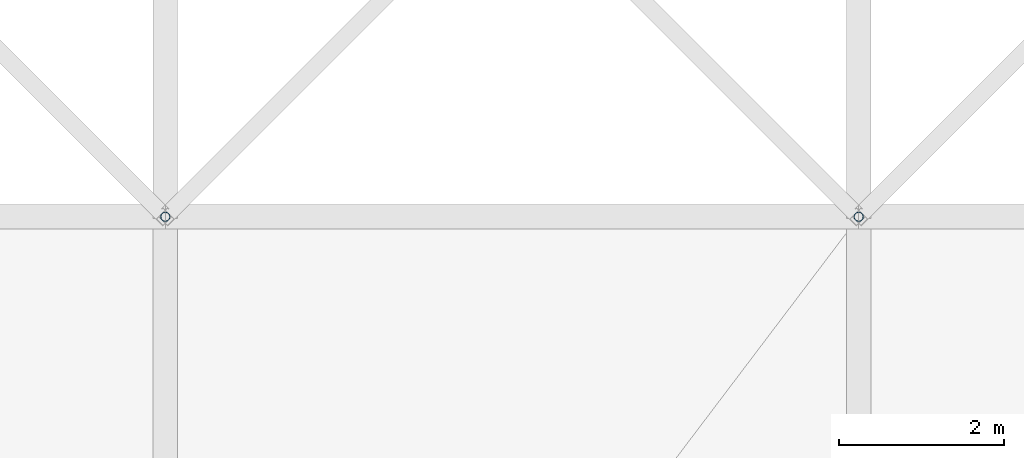
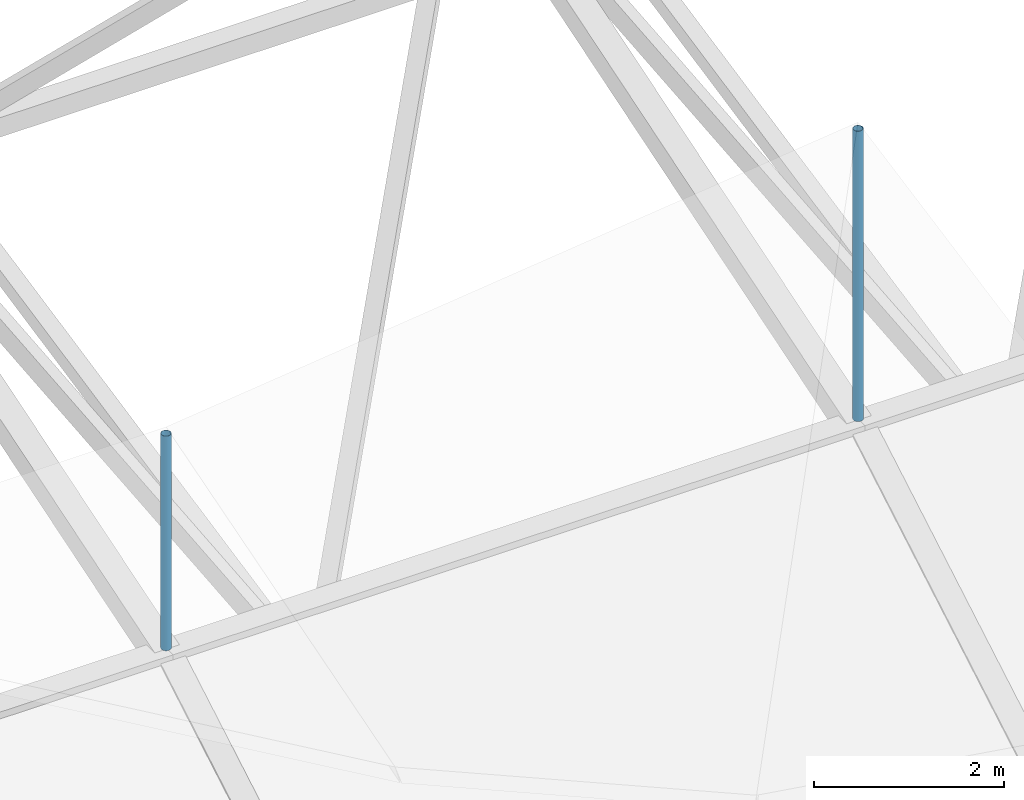
# One storey, part 46 of 111: 2 discrete accessories.
"""IFC4 building model written with IfcOpenShell, lengths in metres."""

from ifc_helpers import new_model, si_unit, direction, frame, origin, origin_2d, place, context, subcontext, project, spatial, hollow_circle, extrude, material, material_profile, profile_set, type_object, element, save


model = new_model("IFC4")

# Units and contexts
model_context = context("Model", 3, precision=1e-05, world=origin(), true_north=direction((0.0, 1.0)))
body_context = subcontext(model_context, "Body", "Model", "MODEL_VIEW")
ifc_project = project(units=[si_unit("LENGTHUNIT", "METRE"), si_unit("AREAUNIT", "SQUARE_METRE"), si_unit("VOLUMEUNIT", "CUBIC_METRE"), si_unit("PLANEANGLEUNIT", "RADIAN"), si_unit("MASSUNIT", "GRAM", prefix="KILO")], contexts=[model_context])

# Site, building, storey
site_placement = place(None, origin())
site = spatial("IfcSite", under=ifc_project, at=site_placement, CompositionType="ELEMENT")
building_placement = place(site_placement, origin())
building = spatial("IfcBuilding", under=site, at=building_placement, Name="Rain Tree Exposition and Congress Centre", CompositionType="ELEMENT")
storey_placement = place(building_placement, frame((0.0, 0.0, 19.5)))
storey = spatial("IfcBuildingStorey", under=building, at=storey_placement, Name="RF", CompositionType="ELEMENT", Elevation=19.5)

# Discrete accessories
ifc_material = material(Name="Steel S355J2H", Category="steel")
ifc_material_profile = material_profile(ifc_material, hollow_circle(Radius=0.05712890625, WallThickness=0.00439453125, at=origin_2d()), Name="CHS 114x4.5")
ifc_profile_set = profile_set([ifc_material_profile], Name="Steel S355J2H")
discrete_accessory_type = type_object("IfcDiscreteAccessoryType", Name="Roof skin post CHS 114x4.5", PredefinedType="BRACKET", material=ifc_profile_set)
discrete_accessory_1_placement = place(storey_placement, frame((176.39990234375, 109.199951171875, 5.39404296875), z_axis=(0.0, 0.0, 1.0), x_axis=(1.0, 0.0, 0.0)))
element("IfcDiscreteAccessory", 1, at=discrete_accessory_1_placement, inside=storey, type_object=discrete_accessory_type, Name="Roof skin post B18", PredefinedType="BRACKET", context=body_context, shape_type="SweptSolid", body=[
    extrude(hollow_circle(Radius=0.05712890625, WallThickness=0.00439453125, at=origin_2d()), origin(), (0.0, 0.0, 1.0), 2.754150390625),
])
discrete_accessory_2_placement = place(storey_placement, frame((184.800048828125, 109.199951171875, 5.39404296875), z_axis=(0.0, 0.0, 1.0), x_axis=(1.0, 0.0, 0.0)))
element("IfcDiscreteAccessory", 2, at=discrete_accessory_2_placement, inside=storey, type_object=discrete_accessory_type, Name="Roof skin post B19", PredefinedType="BRACKET", context=body_context, shape_type="SweptSolid", body=[
    extrude(hollow_circle(Radius=0.05712890625, WallThickness=0.00439453125, at=origin_2d()), origin(), (0.0, 0.0, 1.0), 3.725830078125),
])

save(model, "model.ifc")
